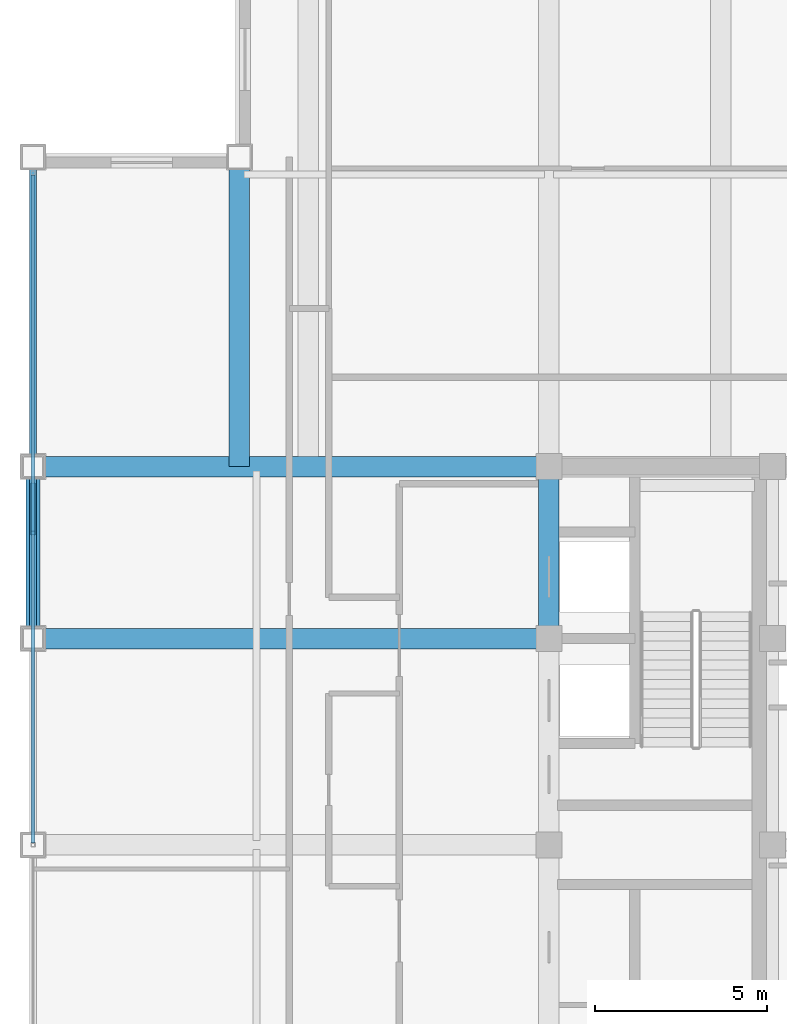
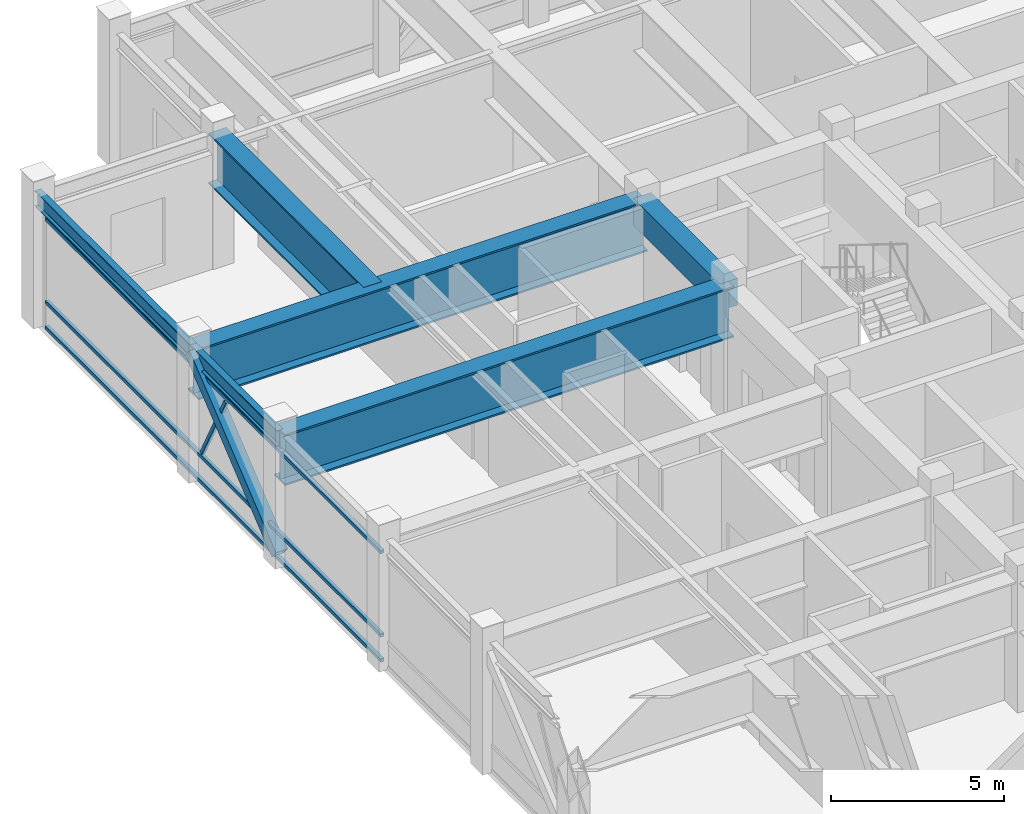
# One storey, part 13 of 29: 6 beams, 5 members, 1 element without a shape of its own.
"""IFC4 building model written with IfcOpenShell, lengths in metres."""

import ifcopenshell
import ifcopenshell.guid

model = None  # the IFC model being written
_history = None  # IfcOwnerHistory: only IFC2X3 demands one
_inside = {}  # id of a spatial element -> (the spatial element, [elements in it])
_under = {}  # id of a project, library or spatial element -> (it, [spatial elements below it])
_declared = {}  # id of a project -> (the project, [libraries it declares])
_typed = {}  # id of a type object -> (the type object, [elements of that type])
_made_of = {}  # id of a material, layer set ... -> (it, [elements and type objects made of it])


def new_model(schema):
    """Start an empty IFC model of exactly this schema.

    Asked for "IFC4X3", IfcOpenShell would pick the latest addendum, in which some entities
    have other attributes; the version numbers below select the first issue.
    IFC2X3 requires an IfcOwnerHistory on every rooted entity: one is made here for all.
    """
    global model, _history
    if schema == "IFC4X3":
        model = ifcopenshell.file(schema_version=(4, 3, 0, 0))
    else:
        model = ifcopenshell.file(schema=schema)
    _inside.clear()
    _under.clear()
    _declared.clear()
    _typed.clear()
    _made_of.clear()
    _history = None
    if model.schema == "IFC2X3":
        org = make("IfcOrganization", Name="unknown")
        user = make(
            "IfcPersonAndOrganization",
            ThePerson=make("IfcPerson", FamilyName="unknown"),
            TheOrganization=org,
        )
        app = make(
            "IfcApplication",
            ApplicationDeveloper=org,
            Version="unknown",
            ApplicationFullName="unknown",
            ApplicationIdentifier="unknown",
        )
        _history = make(
            "IfcOwnerHistory",
            OwningUser=user,
            OwningApplication=app,
            ChangeAction="ADDED",
            CreationDate=0,
        )
    return model


def make(cls, **values):
    """One entity of the class cls with the attributes given. An attribute that is None is left unset."""
    return model.create_entity(
        cls, **{name: value for name, value in values.items() if value is not None}
    )


def rooted(cls, **values):
    """An entity with a GlobalId (a new one), such as an element, a storey or a relation."""
    return make(cls, GlobalId=ifcopenshell.guid.new(), OwnerHistory=_history, **values)


def si_unit(unit_type, name, prefix=None):
    """IfcSIUnit, for example si_unit("LENGTHUNIT", "METRE", prefix="MILLI")."""
    return make("IfcSIUnit", UnitType=unit_type, Prefix=prefix, Name=name)


def assignment(units):
    """IfcUnitAssignment: the units of a project."""
    return None if units is None else make("IfcUnitAssignment", Units=units)


def point(xyz):
    """IfcCartesianPoint."""
    return None if xyz is None else make("IfcCartesianPoint", Coordinates=xyz)


def direction(xyz):
    """IfcDirection."""
    return None if xyz is None else make("IfcDirection", DirectionRatios=xyz)


def frame(location, z_axis=None, x_axis=None):
    """IfcAxis2Placement3D, a coordinate frame: its origin and axes. An axis left out is left unset."""
    return make(
        "IfcAxis2Placement3D",
        Location=point(location),
        Axis=direction(z_axis),
        RefDirection=direction(x_axis),
    )


def frame_2d(location, x_axis=None):
    """IfcAxis2Placement2D, a coordinate frame in the plane: its origin and x axis."""
    return make(
        "IfcAxis2Placement2D", Location=point(location), RefDirection=direction(x_axis)
    )


def origin():
    """The frame at (0, 0, 0) with its axes left unset."""
    return frame((0.0, 0.0, 0.0))


def origin_2d():
    """The frame at (0, 0) in the plane with its x axis left unset."""
    return frame_2d((0.0, 0.0))


def place(relative_to, where):
    """IfcLocalPlacement: puts the frame where relative to a parent placement (None: the world)."""
    return make(
        "IfcLocalPlacement", PlacementRelTo=relative_to, RelativePlacement=where
    )


def context(
    kind, dimensions, precision=None, world=None, true_north=None, identifier=None
):
    """IfcGeometricRepresentationContext, for example the 3D "Model" context."""
    return make(
        "IfcGeometricRepresentationContext",
        ContextIdentifier=identifier,
        ContextType=kind,
        CoordinateSpaceDimension=dimensions,
        Precision=precision,
        WorldCoordinateSystem=world,
        TrueNorth=true_north,
    )


def subcontext(parent, identifier, kind, view, scale=None):
    """IfcGeometricRepresentationSubContext, for example "Body" below "Model"."""
    return make(
        "IfcGeometricRepresentationSubContext",
        ContextIdentifier=identifier,
        ContextType=kind,
        ParentContext=parent,
        TargetScale=scale,
        TargetView=view,
    )


def project(units=None, contexts=None):
    """IfcProject with its units and contexts."""
    return rooted(
        "IfcProject",
        Name="project",
        RepresentationContexts=contexts,
        UnitsInContext=assignment(units),
    )


def spatial(cls, under=None, at=None, **own):
    """A site, building, storey or space (cls), placed at a placement, below another one or the project."""
    s = rooted(cls, ObjectPlacement=at, **own)
    if under is not None:
        _under.setdefault(under.id(), (under, []))[1].append(s)
    return s


def profile(cls, at=None, kind="AREA", **sizes):
    """A parametric profile (cls). Its sizes go by their IFC names, for example OverallWidth=200.0."""
    return make(cls, ProfileType=kind, Position=at, **sizes)


def rectangle(**sizes):
    """IfcRectangleProfileDef."""
    return profile("IfcRectangleProfileDef", **sizes)


def hollow_rectangle(**sizes):
    """IfcRectangleHollowProfileDef."""
    return profile("IfcRectangleHollowProfileDef", **sizes)


def i_section(**sizes):
    """IfcIShapeProfileDef."""
    return profile("IfcIShapeProfileDef", **sizes)


def extrude(swept, where, along, depth):
    """IfcExtrudedAreaSolid: the profile swept, set in the frame where, extruded along a direction by depth."""
    return make(
        "IfcExtrudedAreaSolid",
        SweptArea=swept,
        Position=where,
        ExtrudedDirection=direction(along),
        Depth=depth,
    )


def shape(context_of_items, identifier, shape_type, items):
    """IfcShapeRepresentation: the items that make up one representation, for example the "Body"."""
    return make(
        "IfcShapeRepresentation",
        ContextOfItems=context_of_items,
        RepresentationIdentifier=identifier,
        RepresentationType=shape_type,
        Items=items,
    )


def source(mapping_origin, context_of_items, identifier, shape_type, items):
    """IfcRepresentationMap: a shape defined once, which mapped items show again and again."""
    return make(
        "IfcRepresentationMap",
        MappingOrigin=mapping_origin,
        MappedRepresentation=shape(context_of_items, identifier, shape_type, items),
    )


def transform(
    local_origin,
    x_axis=None,
    y_axis=None,
    z_axis=None,
    scale=None,
    scale2=None,
    scale3=None,
    uniform=True,
):
    """IfcCartesianTransformationOperator3D, or its non-uniform kind. x_axis, y_axis, z_axis: its Axis1, 2, 3."""
    if uniform:
        return make(
            "IfcCartesianTransformationOperator3D",
            Axis1=direction(x_axis),
            Axis2=direction(y_axis),
            LocalOrigin=point(local_origin),
            Scale=scale,
            Axis3=direction(z_axis),
        )
    return make(
        "IfcCartesianTransformationOperator3DnonUniform",
        Axis1=direction(x_axis),
        Axis2=direction(y_axis),
        LocalOrigin=point(local_origin),
        Scale=scale,
        Axis3=direction(z_axis),
        Scale2=scale2,
        Scale3=scale3,
    )


def mapped(mapping_source, mapping_target):
    """IfcMappedItem: shows the shape of a source again, moved by a transform."""
    return make(
        "IfcMappedItem", MappingSource=mapping_source, MappingTarget=mapping_target
    )


def material(Name=None, Category=None):
    """IfcMaterial."""
    return make("IfcMaterial", Name=Name, Category=Category)


def material_profile(
    of_material, cross_section, Name=None, Category=None, Priority=None
):
    """IfcMaterialProfile: a cross section and its material."""
    return make(
        "IfcMaterialProfile",
        Name=Name,
        Material=of_material,
        Profile=cross_section,
        Priority=Priority,
        Category=Category,
    )


def profile_set(profiles, Name=None, composite=None):
    """IfcMaterialProfileSet."""
    return make(
        "IfcMaterialProfileSet",
        Name=Name,
        MaterialProfiles=profiles,
        CompositeProfile=composite,
    )


def made_of(thing, what):
    """Note that an element or type object is made of a material, layer set ...; save() writes the relation."""
    if what is not None:
        _made_of.setdefault(what.id(), (what, []))[1].append(thing)
    return thing


def type_object(cls, material=None, **own):
    """A type object (cls), such as IfcWallType, which elements share."""
    return made_of(rooted(cls, **own), material)


def element(
    cls,
    number,
    at=None,
    inside=None,
    cuts=None,
    type_object=None,
    material=None,
    context=None,
    identifier="Body",
    shape_type=None,
    held_by="IfcProductDefinitionShape",
    body=None,
    shapes=None,
    **own,
):
    """One element of the class cls, such as IfcWall. Its Tag is "e" and its number.

    at: its placement. inside: the storey or other place that contains it. cuts: it is an
    opening in that element (IfcRelVoidsElement). A single representation is given by context,
    identifier, shape_type and body (its items); several are given by shapes. held_by: the class
    of the entity that holds the representations. save() writes the other relations.
    """
    e = rooted(cls, Tag="e%d" % number, ObjectPlacement=at, **own)
    if body is not None:
        shapes = [shape(context, identifier, shape_type, body)]
    if shapes is not None:
        e.Representation = make(held_by, Representations=shapes)
    if inside is not None:
        _inside.setdefault(inside.id(), (inside, []))[1].append(e)
    if cuts is not None:
        rooted(
            "IfcRelVoidsElement", RelatingBuildingElement=cuts, RelatedOpeningElement=e
        )
    if type_object is not None:
        _typed.setdefault(type_object.id(), (type_object, []))[1].append(e)
    return made_of(e, material)


def aggregate(whole, parts):
    """IfcRelAggregates: a whole, such as a stair, and the parts it consists of."""
    return rooted("IfcRelAggregates", RelatingObject=whole, RelatedObjects=parts)


def save(model, path):
    """Write the relations noted so far, then the file.

    IfcRelAggregates (storeys below a building ...), IfcRelContainedInSpatialStructure (elements
    in a storey), IfcRelDefinesByType, IfcRelAssociatesMaterial and IfcRelDeclares: one each for
    every whole, place, type object, material and project.
    """
    for whole, parts in _under.values():
        aggregate(whole, parts)
    for where, things in _inside.values():
        rooted(
            "IfcRelContainedInSpatialStructure",
            RelatedElements=things,
            RelatingStructure=where,
        )
    for kind, things in _typed.values():
        rooted("IfcRelDefinesByType", RelatedObjects=things, RelatingType=kind)
    for what, things in _made_of.values():
        rooted("IfcRelAssociatesMaterial", RelatedObjects=things, RelatingMaterial=what)
    for by, libraries in _declared.values():
        rooted("IfcRelDeclares", RelatingContext=by, RelatedDefinitions=libraries)
    model.write(path)


model = new_model("IFC4")

# Units and contexts
model_context = context("Model", 3, precision=1e-05, world=origin(), true_north=direction((0.0, 1.0)))
body_context = subcontext(model_context, "Body", "Model", "MODEL_VIEW")
ifc_project = project(units=[si_unit("LENGTHUNIT", "METRE"), si_unit("AREAUNIT", "SQUARE_METRE"), si_unit("VOLUMEUNIT", "CUBIC_METRE"), si_unit("PLANEANGLEUNIT", "RADIAN"), si_unit("MASSUNIT", "GRAM", prefix="KILO")], contexts=[model_context])

# Site, building, storey
site_placement = place(None, origin())
site = spatial("IfcSite", under=ifc_project, at=site_placement, CompositionType="ELEMENT")
building_placement = place(site_placement, origin())
building = spatial("IfcBuilding", under=site, at=building_placement, Name="Khorayat Bourse Tower", CompositionType="ELEMENT")
storey_placement = place(building_placement, frame((0.0, 0.0, 370.300048828125)))
storey = spatial("IfcBuildingStorey", under=building, at=storey_placement, Name="L88", CompositionType="ELEMENT", Elevation=370.300048828125)

# Beams
ifc_material_1 = material(Name="Concrete C60/75", Category="concrete")
ifc_material_profile_1 = material_profile(ifc_material_1, rectangle(XDim=0.60009765625, YDim=0.949951171875, at=origin_2d()), Name="RC 600x950")
ifc_profile_set_1 = profile_set([ifc_material_profile_1], Name="Concrete C60/75")
beam_type_1 = type_object("IfcBeamType", Name="BM-COUP-950", PredefinedType="BEAM", material=ifc_profile_set_1)
shared_shape_1 = source(origin(), body_context, "Body", "SweptSolid", [
    extrude(rectangle(XDim=0.60009765625, YDim=0.949951171875, at=origin_2d()), origin(), (0.0, 0.0, 1.0), 5.0),
])
beam_1_placement = place(storey_placement, frame((-11.0, 6.0, 4.125), z_axis=(0.0, 1.0, 0.0), x_axis=(-1.0, 0.0, 0.0)))
element("IfcBeam", 1, at=beam_1_placement, inside=storey, type_object=beam_type_1, Name="L88 BM-COUP-950 BM-L88-CRX-04", PredefinedType="BEAM", context=body_context, shape_type="MappedRepresentation", body=[
    mapped(shared_shape_1, transform((0.0, 0.0, 0.0), scale=1.0)),
])
ifc_material_2 = material(Name="Steel ASTM A992 Grade 50", Category="steel")
ifc_material_profile_2 = material_profile(ifc_material_2, i_section(OverallWidth=0.214111328125, OverallDepth=0.549072265625, WebThickness=0.0146484375, FlangeThickness=0.023681640625, FilletRadius=0.013916015625, at=origin_2d()), Name="W530X138")
ifc_profile_set_2 = profile_set([ifc_material_profile_2], Name="Steel ASTM A992 Grade 50")
beam_type_2 = type_object("IfcBeamType", Name="BM-SPAN-530", PredefinedType="SPANDREL", material=ifc_profile_set_2)
shared_shape_2 = source(origin(), body_context, "Body", "SweptSolid", [
    extrude(i_section(OverallWidth=0.214111328125, OverallDepth=0.549072265625, WebThickness=0.0146484375, FlangeThickness=0.023681640625, FilletRadius=0.013916015625, at=origin_2d()), origin(), (0.0, 0.0, 1.0), 9.0),
])
beam_2_placement = place(storey_placement, frame((-26.0, 11.0, 4.325439453125), z_axis=(0.0, 1.0, 0.0), x_axis=(-1.0, 0.0, 0.0)))
element("IfcBeam", 2, at=beam_2_placement, inside=storey, type_object=beam_type_2, Name="L88 BM-SPAN-530 BM-L88-SPN-048", PredefinedType="SPANDREL", context=body_context, shape_type="MappedRepresentation", body=[
    mapped(shared_shape_2, transform((0.0, 0.0, 0.0), scale=1.0)),
])
shared_shape_3 = source(origin(), body_context, "Body", "SweptSolid", [
    extrude(i_section(OverallWidth=0.214111328125, OverallDepth=0.549072265625, WebThickness=0.0146484375, FlangeThickness=0.023681640625, FilletRadius=0.013916015625, at=origin_2d()), origin(), (0.0, 0.0, 1.0), 5.0),
])
beam_3_placement = place(storey_placement, frame((-26.0, 6.0, 4.325439453125), z_axis=(0.0, 1.0, 0.0), x_axis=(-1.0, 0.0, 0.0)))
element("IfcBeam", 3, at=beam_3_placement, inside=storey, type_object=beam_type_2, Name="L88 BM-SPAN-530 BM-L88-SPN-049", PredefinedType="SPANDREL", context=body_context, shape_type="MappedRepresentation", body=[
    mapped(shared_shape_3, transform((0.0, 0.0, 0.0), scale=1.0)),
])
ifc_material_3 = material(Name="Steel EN 10025-4 S460M", Category="steel")
ifc_material_profile_3 = material_profile(ifc_material_3, i_section(OverallWidth=0.60009765625, OverallDepth=1.800048828125, WebThickness=0.031982421875, FlangeThickness=0.06005859375, at=origin_2d()), Name="PG 1800x600x32x60")
ifc_profile_set_3 = profile_set([ifc_material_profile_3], Name="Steel EN 10025-4 S460M")
beam_type_3 = type_object("IfcBeamType", Name="BM-TR-1800", PredefinedType="BEAM", material=ifc_profile_set_3)
shared_shape_4 = source(origin(), body_context, "Body", "SweptSolid", [
    extrude(i_section(OverallWidth=0.60009765625, OverallDepth=1.800048828125, WebThickness=0.031982421875, FlangeThickness=0.06005859375, at=origin_2d()), origin(), (0.0, 0.0, 1.0), 15.0),
])
for number, where, z_axis, x_axis, name in (
    (4, (-26.0, 6.0, 3.699951171875), (1.0, 0.0, 0.0), (0.0, 1.0, 0.0), "L88 BM-TR-1800 BM-L88-RADX-073"),
    (5, (-26.0, 11.0, 3.699951171875), (1.0, 0.0, 0.0), (0.0, 1.0, 0.0), "L88 BM-TR-1800 BM-L88-RADX-075"),
):
    element("IfcBeam", number, at=place(storey_placement, frame(where, z_axis=z_axis, x_axis=x_axis)), inside=storey, type_object=beam_type_3, Name=name, PredefinedType="BEAM", context=body_context, shape_type="MappedRepresentation", body=[
        mapped(shared_shape_4, transform((0.0, 0.0, 0.0), scale=1.0)),
    ])
shared_shape_5 = source(origin(), body_context, "Body", "SweptSolid", [
    extrude(i_section(OverallWidth=0.60009765625, OverallDepth=1.800048828125, WebThickness=0.031982421875, FlangeThickness=0.06005859375, at=origin_2d()), origin(), (0.0, 0.0, 1.0), 9.0),
])
beam_4_placement = place(storey_placement, frame((-20.0, 11.0, 3.699951171875), z_axis=(0.0, 1.0, 0.0), x_axis=(-1.0, 0.0, 0.0)))
element("IfcBeam", 6, at=beam_4_placement, inside=storey, type_object=beam_type_3, Name="L88 BM-TR-1800 BM-L88-CNRY-081", PredefinedType="BEAM", context=body_context, shape_type="MappedRepresentation", body=[
    mapped(shared_shape_5, transform((0.0, 0.0, 0.0), scale=1.0)),
])

# Member
ifc_material_profile_4 = material_profile(ifc_material_3, hollow_rectangle(XDim=0.39990234375, YDim=0.39990234375, WallThickness=0.02197265625, at=origin_2d()), Name="HSS 400x400x22")
ifc_profile_set_4 = profile_set([ifc_material_profile_4], Name="Steel EN 10025-4 S460M")
member_type_1 = type_object("IfcMemberType", Name="MBR-TUBE-400", PredefinedType="BRACE", material=ifc_profile_set_4)
shared_shape_6 = source(origin(), body_context, "Body", "SweptSolid", [
    extrude(hollow_rectangle(XDim=0.39990234375, YDim=0.39990234375, WallThickness=0.02197265625, at=origin_2d()), origin(), (0.0, 0.0, 1.0), 6.466064453125),
])
member_1_placement = place(storey_placement, frame((-26.0, 6.0, 0.25), z_axis=(0.0, 0.773278898257, 0.634066041916), x_axis=(-1.0, 0.0, 0.0)))
element("IfcMember", 7, at=member_1_placement, inside=storey, type_object=member_type_1, Name="L88 Perimeter Tube Brace 06", PredefinedType="BRACE", context=body_context, shape_type="MappedRepresentation", body=[
    mapped(shared_shape_6, transform((0.0, 0.0, 0.0), scale=1.0)),
])

# Curtain wall, members
ifc_material_4 = material(Name="Aluminium EN AW-6063 T6", Category="aluminium")
curtain_wall_type = type_object("IfcCurtainWallType", Name="CW-SYS-04", PredefinedType="NOTDEFINED", material=ifc_material_4)
curtain_wall_placement = place(storey_placement, origin())
curtain_wall = element("IfcCurtainWall", 8, at=curtain_wall_placement, inside=storey, type_object=curtain_wall_type, Name="L88 Curtain Wall CW-L88-W1", PredefinedType="NOTDEFINED")
ifc_material_profile_5 = material_profile(ifc_material_4, hollow_rectangle(XDim=0.1201171875, YDim=0.1201171875, WallThickness=0.0048828125, at=origin_2d()), Name="ALU 120x120x5")
ifc_profile_set_5 = profile_set([ifc_material_profile_5], Name="Aluminium EN AW-6063 T6")
member_type_2 = type_object("IfcMemberType", Name="CWM-DIAG-120", PredefinedType="MULLION", material=ifc_profile_set_5)
shared_shape_7 = source(origin(), body_context, "Body", "SweptSolid", [
    extrude(hollow_rectangle(XDim=0.1201171875, YDim=0.1201171875, WallThickness=0.0048828125, at=origin_2d()), origin(), (0.0, 0.0, 1.0), 3.006103515625),
])
member_2_placement = place(storey_placement, frame((-26.0, 10.469970703125, 1.08984375), z_axis=(0.0, -0.465699569312, 0.884942885808), x_axis=(1.0, 0.0, 0.0)))
member_2 = element("IfcMember", 9, at=member_2_placement, type_object=member_type_2, Name="CW-L88-W1 Faceted Diagonal Mullion 2", PredefinedType="MULLION", context=body_context, shape_type="MappedRepresentation", body=[
    mapped(shared_shape_7, transform((0.0, 0.0, 0.0), scale=1.0)),
])
ifc_material_profile_6 = material_profile(ifc_material_4, hollow_rectangle(XDim=0.1201171875, YDim=0.1201171875, WallThickness=0.0048828125, at=origin_2d()), Name="ALU 120x120x5")
ifc_profile_set_6 = profile_set([ifc_material_profile_6], Name="Aluminium EN AW-6063 T6")
member_type_3 = type_object("IfcMemberType", Name="CWT-HORZ-120", PredefinedType="USERDEFINED", material=ifc_profile_set_6)
shared_shape_8 = source(origin(), body_context, "Body", "SweptSolid", [
    extrude(hollow_rectangle(XDim=0.1201171875, YDim=0.1201171875, WallThickness=0.0048828125, at=origin_2d()), origin(), (0.0, 0.0, 1.0), 19.419921875),
])
member_3_placement = place(storey_placement, frame((-26.0, 0.06005859375, 0.06005859375), z_axis=(0.0, 1.0, 0.0), x_axis=(-1.0, 0.0, 0.0)))
member_3 = element("IfcMember", 10, at=member_3_placement, type_object=member_type_3, Name="CW-L88-W1 Horizontal Transom 2-1", ObjectType="TRANSOM", PredefinedType="USERDEFINED", context=body_context, shape_type="MappedRepresentation", body=[
    mapped(shared_shape_8, transform((0.0, 0.0, 0.0), scale=1.0)),
])
member_4_placement = place(storey_placement, frame((-26.0, 0.06005859375, 0.949951171875), z_axis=(0.0, 1.0, 0.0), x_axis=(-1.0, 0.0, 0.0)))
member_4 = element("IfcMember", 11, at=member_4_placement, type_object=member_type_3, Name="CW-L88-W1 Horizontal Transom 2-2", ObjectType="TRANSOM", PredefinedType="USERDEFINED", context=body_context, shape_type="MappedRepresentation", body=[
    mapped(shared_shape_8, transform((0.0, 0.0, 0.0), scale=1.0)),
])
member_5_placement = place(storey_placement, frame((-26.0, 0.06005859375, 3.889892578125), z_axis=(0.0, 1.0, 0.0), x_axis=(-1.0, 0.0, 0.0)))
member_5 = element("IfcMember", 12, at=member_5_placement, type_object=member_type_3, Name="CW-L88-W1 Horizontal Transom 2-3", ObjectType="TRANSOM", PredefinedType="USERDEFINED", context=body_context, shape_type="MappedRepresentation", body=[
    mapped(shared_shape_8, transform((0.0, 0.0, 0.0), scale=1.0)),
])
aggregate(curtain_wall, [member_3, member_4, member_5, member_2])

save(model, "model.ifc")
